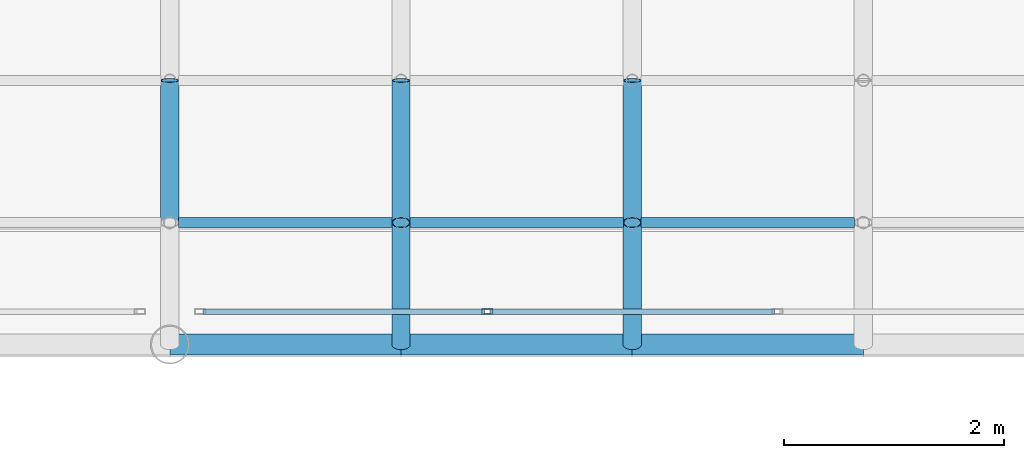
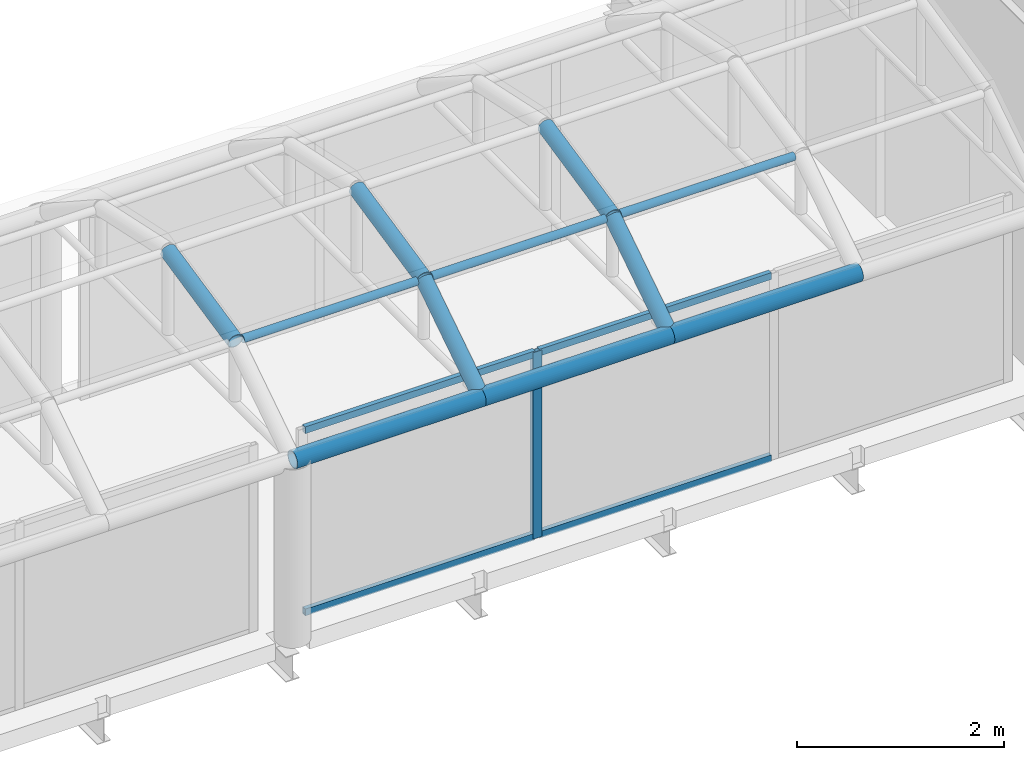
# One storey, part 100 of 167: 16 members, 1 element without a shape of its own.
"""IFC4 building model written with IfcOpenShell, lengths in metres."""

import ifcopenshell
import ifcopenshell.guid

model = None  # the IFC model being written
_history = None  # IfcOwnerHistory: only IFC2X3 demands one
_inside = {}  # id of a spatial element -> (the spatial element, [elements in it])
_under = {}  # id of a project, library or spatial element -> (it, [spatial elements below it])
_declared = {}  # id of a project -> (the project, [libraries it declares])
_typed = {}  # id of a type object -> (the type object, [elements of that type])
_made_of = {}  # id of a material, layer set ... -> (it, [elements and type objects made of it])


def new_model(schema):
    """Start an empty IFC model of exactly this schema.

    Asked for "IFC4X3", IfcOpenShell would pick the latest addendum, in which some entities
    have other attributes; the version numbers below select the first issue.
    IFC2X3 requires an IfcOwnerHistory on every rooted entity: one is made here for all.
    """
    global model, _history
    if schema == "IFC4X3":
        model = ifcopenshell.file(schema_version=(4, 3, 0, 0))
    else:
        model = ifcopenshell.file(schema=schema)
    _inside.clear()
    _under.clear()
    _declared.clear()
    _typed.clear()
    _made_of.clear()
    _history = None
    if model.schema == "IFC2X3":
        org = make("IfcOrganization", Name="unknown")
        user = make(
            "IfcPersonAndOrganization",
            ThePerson=make("IfcPerson", FamilyName="unknown"),
            TheOrganization=org,
        )
        app = make(
            "IfcApplication",
            ApplicationDeveloper=org,
            Version="unknown",
            ApplicationFullName="unknown",
            ApplicationIdentifier="unknown",
        )
        _history = make(
            "IfcOwnerHistory",
            OwningUser=user,
            OwningApplication=app,
            ChangeAction="ADDED",
            CreationDate=0,
        )
    return model


def make(cls, **values):
    """One entity of the class cls with the attributes given. An attribute that is None is left unset."""
    return model.create_entity(
        cls, **{name: value for name, value in values.items() if value is not None}
    )


def rooted(cls, **values):
    """An entity with a GlobalId (a new one), such as an element, a storey or a relation."""
    return make(cls, GlobalId=ifcopenshell.guid.new(), OwnerHistory=_history, **values)


def si_unit(unit_type, name, prefix=None):
    """IfcSIUnit, for example si_unit("LENGTHUNIT", "METRE", prefix="MILLI")."""
    return make("IfcSIUnit", UnitType=unit_type, Prefix=prefix, Name=name)


def assignment(units):
    """IfcUnitAssignment: the units of a project."""
    return None if units is None else make("IfcUnitAssignment", Units=units)


def point(xyz):
    """IfcCartesianPoint."""
    return None if xyz is None else make("IfcCartesianPoint", Coordinates=xyz)


def direction(xyz):
    """IfcDirection."""
    return None if xyz is None else make("IfcDirection", DirectionRatios=xyz)


def frame(location, z_axis=None, x_axis=None):
    """IfcAxis2Placement3D, a coordinate frame: its origin and axes. An axis left out is left unset."""
    return make(
        "IfcAxis2Placement3D",
        Location=point(location),
        Axis=direction(z_axis),
        RefDirection=direction(x_axis),
    )


def frame_2d(location, x_axis=None):
    """IfcAxis2Placement2D, a coordinate frame in the plane: its origin and x axis."""
    return make(
        "IfcAxis2Placement2D", Location=point(location), RefDirection=direction(x_axis)
    )


def origin():
    """The frame at (0, 0, 0) with its axes left unset."""
    return frame((0.0, 0.0, 0.0))


def origin_2d():
    """The frame at (0, 0) in the plane with its x axis left unset."""
    return frame_2d((0.0, 0.0))


def place(relative_to, where):
    """IfcLocalPlacement: puts the frame where relative to a parent placement (None: the world)."""
    return make(
        "IfcLocalPlacement", PlacementRelTo=relative_to, RelativePlacement=where
    )


def context(
    kind, dimensions, precision=None, world=None, true_north=None, identifier=None
):
    """IfcGeometricRepresentationContext, for example the 3D "Model" context."""
    return make(
        "IfcGeometricRepresentationContext",
        ContextIdentifier=identifier,
        ContextType=kind,
        CoordinateSpaceDimension=dimensions,
        Precision=precision,
        WorldCoordinateSystem=world,
        TrueNorth=true_north,
    )


def subcontext(parent, identifier, kind, view, scale=None):
    """IfcGeometricRepresentationSubContext, for example "Body" below "Model"."""
    return make(
        "IfcGeometricRepresentationSubContext",
        ContextIdentifier=identifier,
        ContextType=kind,
        ParentContext=parent,
        TargetScale=scale,
        TargetView=view,
    )


def project(units=None, contexts=None):
    """IfcProject with its units and contexts."""
    return rooted(
        "IfcProject",
        Name="project",
        RepresentationContexts=contexts,
        UnitsInContext=assignment(units),
    )


def spatial(cls, under=None, at=None, **own):
    """A site, building, storey or space (cls), placed at a placement, below another one or the project."""
    s = rooted(cls, ObjectPlacement=at, **own)
    if under is not None:
        _under.setdefault(under.id(), (under, []))[1].append(s)
    return s


def profile(cls, at=None, kind="AREA", **sizes):
    """A parametric profile (cls). Its sizes go by their IFC names, for example OverallWidth=200.0."""
    return make(cls, ProfileType=kind, Position=at, **sizes)


def hollow_rectangle(**sizes):
    """IfcRectangleHollowProfileDef."""
    return profile("IfcRectangleHollowProfileDef", **sizes)


def hollow_circle(**sizes):
    """IfcCircleHollowProfileDef."""
    return profile("IfcCircleHollowProfileDef", **sizes)


def extrude(swept, where, along, depth):
    """IfcExtrudedAreaSolid: the profile swept, set in the frame where, extruded along a direction by depth."""
    return make(
        "IfcExtrudedAreaSolid",
        SweptArea=swept,
        Position=where,
        ExtrudedDirection=direction(along),
        Depth=depth,
    )


def shape(context_of_items, identifier, shape_type, items):
    """IfcShapeRepresentation: the items that make up one representation, for example the "Body"."""
    return make(
        "IfcShapeRepresentation",
        ContextOfItems=context_of_items,
        RepresentationIdentifier=identifier,
        RepresentationType=shape_type,
        Items=items,
    )


def material(Name=None, Category=None):
    """IfcMaterial."""
    return make("IfcMaterial", Name=Name, Category=Category)


def material_profile(
    of_material, cross_section, Name=None, Category=None, Priority=None
):
    """IfcMaterialProfile: a cross section and its material."""
    return make(
        "IfcMaterialProfile",
        Name=Name,
        Material=of_material,
        Profile=cross_section,
        Priority=Priority,
        Category=Category,
    )


def profile_set(profiles, Name=None, composite=None):
    """IfcMaterialProfileSet."""
    return make(
        "IfcMaterialProfileSet",
        Name=Name,
        MaterialProfiles=profiles,
        CompositeProfile=composite,
    )


def made_of(thing, what):
    """Note that an element or type object is made of a material, layer set ...; save() writes the relation."""
    if what is not None:
        _made_of.setdefault(what.id(), (what, []))[1].append(thing)
    return thing


def type_object(cls, material=None, **own):
    """A type object (cls), such as IfcWallType, which elements share."""
    return made_of(rooted(cls, **own), material)


def element(
    cls,
    number,
    at=None,
    inside=None,
    cuts=None,
    type_object=None,
    material=None,
    context=None,
    identifier="Body",
    shape_type=None,
    held_by="IfcProductDefinitionShape",
    body=None,
    shapes=None,
    **own,
):
    """One element of the class cls, such as IfcWall. Its Tag is "e" and its number.

    at: its placement. inside: the storey or other place that contains it. cuts: it is an
    opening in that element (IfcRelVoidsElement). A single representation is given by context,
    identifier, shape_type and body (its items); several are given by shapes. held_by: the class
    of the entity that holds the representations. save() writes the other relations.
    """
    e = rooted(cls, Tag="e%d" % number, ObjectPlacement=at, **own)
    if body is not None:
        shapes = [shape(context, identifier, shape_type, body)]
    if shapes is not None:
        e.Representation = make(held_by, Representations=shapes)
    if inside is not None:
        _inside.setdefault(inside.id(), (inside, []))[1].append(e)
    if cuts is not None:
        rooted(
            "IfcRelVoidsElement", RelatingBuildingElement=cuts, RelatedOpeningElement=e
        )
    if type_object is not None:
        _typed.setdefault(type_object.id(), (type_object, []))[1].append(e)
    return made_of(e, material)


def aggregate(whole, parts):
    """IfcRelAggregates: a whole, such as a stair, and the parts it consists of."""
    return rooted("IfcRelAggregates", RelatingObject=whole, RelatedObjects=parts)


def save(model, path):
    """Write the relations noted so far, then the file.

    IfcRelAggregates (storeys below a building ...), IfcRelContainedInSpatialStructure (elements
    in a storey), IfcRelDefinesByType, IfcRelAssociatesMaterial and IfcRelDeclares: one each for
    every whole, place, type object, material and project.
    """
    for whole, parts in _under.values():
        aggregate(whole, parts)
    for where, things in _inside.values():
        rooted(
            "IfcRelContainedInSpatialStructure",
            RelatedElements=things,
            RelatingStructure=where,
        )
    for kind, things in _typed.values():
        rooted("IfcRelDefinesByType", RelatedObjects=things, RelatingType=kind)
    for what, things in _made_of.values():
        rooted("IfcRelAssociatesMaterial", RelatedObjects=things, RelatingMaterial=what)
    for by, libraries in _declared.values():
        rooted("IfcRelDeclares", RelatingContext=by, RelatedDefinitions=libraries)
    model.write(path)


model = new_model("IFC4")

# Units and contexts
model_context = context("Model", 3, precision=1e-05, world=origin(), true_north=direction((0.0, 1.0)))
body_context = subcontext(model_context, "Body", "Model", "MODEL_VIEW")
ifc_project = project(units=[si_unit("LENGTHUNIT", "METRE"), si_unit("AREAUNIT", "SQUARE_METRE"), si_unit("VOLUMEUNIT", "CUBIC_METRE"), si_unit("PLANEANGLEUNIT", "RADIAN"), si_unit("MASSUNIT", "GRAM", prefix="KILO")], contexts=[model_context])

# Site, building, storey
site_placement = place(None, origin())
site = spatial("IfcSite", under=ifc_project, at=site_placement, CompositionType="ELEMENT")
building_placement = place(site_placement, origin())
building = spatial("IfcBuilding", under=site, at=building_placement, Name="Catenary Quay Ferry Terminal", CompositionType="ELEMENT")
storey_placement = place(building_placement, frame((0.0, 0.0, 6.0)))
storey = spatial("IfcBuildingStorey", under=building, at=storey_placement, Name="L01", CompositionType="ELEMENT", Elevation=6.0)

# Curtain wall, member
ifc_material_1 = material(Name="Aluminium and glass", Category="aluminium")
curtain_wall_type = type_object("IfcCurtainWallType", Name="CWB", PredefinedType="NOTDEFINED", material=ifc_material_1)
curtain_wall_placement = place(storey_placement, origin())
curtain_wall = element("IfcCurtainWall", 1, at=curtain_wall_placement, inside=storey, type_object=curtain_wall_type, Name="BB2 curtain wall CW67", PredefinedType="NOTDEFINED")
ifc_material_2 = material(Name="Aluminium", Category="aluminium")
ifc_material_profile_1 = material_profile(ifc_material_2, hollow_rectangle(XDim=0.050048828125, YDim=0.10009765625, WallThickness=0.0048828125, at=origin_2d()), Name="MU1")
ifc_profile_set_1 = profile_set([ifc_material_profile_1], Name="Aluminium")
member_type_1 = type_object("IfcMemberType", Name="MU1", PredefinedType="MULLION", material=ifc_profile_set_1)
member_1_placement = place(storey_placement, frame((120.4833984375, 90.300048828125, 0.0), z_axis=(0.0, 0.0, 1.0), x_axis=(0.0, 1.0, 0.0)))
member_1 = element("IfcMember", 2, at=member_1_placement, type_object=member_type_1, Name="CW67 mullion 2", PredefinedType="MULLION", context=body_context, shape_type="SweptSolid", body=[
    extrude(hollow_rectangle(XDim=0.050048828125, YDim=0.10009765625, WallThickness=0.0048828125, at=origin_2d()), origin(), (0.0, 0.0, 1.0), 2.195068359375),
])

# Members
ifc_material_3 = material(Name="Steel S355", Category="steel")
ifc_material_profile_2 = material_profile(ifc_material_3, hollow_circle(Radius=0.04443359375, WallThickness=0.0048828125, at=origin_2d()), Name="CHS 88.9x5")
ifc_profile_set_2 = profile_set([ifc_material_profile_2], Name="Steel S355")
member_type_2 = type_object("IfcMemberType", Name="PU3 CHS 88.9x5", PredefinedType="PURLIN", material=ifc_profile_set_2)
member_2_placement = place(storey_placement, frame((117.679931640625, 91.10791015625, 2.821044921875), z_axis=(1.0, 0.0, 0.0), x_axis=(0.0, 1.0, 0.0)))
element("IfcMember", 3, at=member_2_placement, inside=storey, type_object=member_type_2, Name="Purlin PU-RB2-13-01", PredefinedType="PURLIN", context=body_context, shape_type="SweptSolid", body=[
    extrude(hollow_circle(Radius=0.04443359375, WallThickness=0.0048828125, at=origin_2d()), origin(), (0.0, 0.0, 1.0), 1.940185546875),
])
member_3_placement = place(storey_placement, frame((119.780029296875, 91.10791015625, 2.821044921875), z_axis=(1.0, 0.0, 0.0), x_axis=(0.0, 1.0, 0.0)))
element("IfcMember", 4, at=member_3_placement, inside=storey, type_object=member_type_2, Name="Purlin PU-RB2-14-01", PredefinedType="PURLIN", context=body_context, shape_type="SweptSolid", body=[
    extrude(hollow_circle(Radius=0.04443359375, WallThickness=0.0048828125, at=origin_2d()), origin(), (0.0, 0.0, 1.0), 1.93994140625),
])
member_4_placement = place(storey_placement, frame((121.8798828125, 91.10791015625, 2.821044921875), z_axis=(1.0, 0.0, 0.0), x_axis=(0.0, 1.0, 0.0)))
element("IfcMember", 5, at=member_4_placement, inside=storey, type_object=member_type_2, Name="Purlin PU-RB2-15-01", PredefinedType="PURLIN", context=body_context, shape_type="SweptSolid", body=[
    extrude(hollow_circle(Radius=0.04443359375, WallThickness=0.0048828125, at=origin_2d()), origin(), (0.0, 0.0, 1.0), 1.940185546875),
])
ifc_material_4 = material(Name="Steel S355", Category="steel")
ifc_material_profile_3 = material_profile(ifc_material_4, hollow_circle(Radius=0.096923828125, WallThickness=0.010009765625, at=origin_2d()), Name="CHS 193.7x10")
ifc_profile_set_3 = profile_set([ifc_material_profile_3], Name="Steel S355")
member_type_3 = type_object("IfcMemberType", Name="TC2 CHS 193.7x10", PredefinedType="CHORD", material=ifc_profile_set_3)
member_5_placement = place(storey_placement, frame((117.60009765625, 90.0, 2.10009765625), z_axis=(1.0, 0.0, 0.0), x_axis=(0.0, 1.0, 0.0)))
element("IfcMember", 6, at=member_5_placement, inside=storey, type_object=member_type_3, Name="Bridge top chord BB2S-TC13", PredefinedType="CHORD", context=body_context, shape_type="SweptSolid", body=[
    extrude(hollow_circle(Radius=0.096923828125, WallThickness=0.010009765625, at=origin_2d()), origin(), (0.0, 0.0, 1.0), 2.099853515625),
])
member_6_placement = place(storey_placement, frame((119.699951171875, 90.0, 2.10009765625), z_axis=(1.0, 0.0, 0.0), x_axis=(0.0, 1.0, 0.0)))
element("IfcMember", 7, at=member_6_placement, inside=storey, type_object=member_type_3, Name="Bridge top chord BB2S-TC14", PredefinedType="CHORD", context=body_context, shape_type="SweptSolid", body=[
    extrude(hollow_circle(Radius=0.096923828125, WallThickness=0.010009765625, at=origin_2d()), origin(), (0.0, 0.0, 1.0), 2.10009765625),
])
member_7_placement = place(storey_placement, frame((121.800048828125, 90.0, 2.10009765625), z_axis=(1.0, 0.0, 0.0), x_axis=(0.0, 1.0, 0.0)))
element("IfcMember", 8, at=member_7_placement, inside=storey, type_object=member_type_3, Name="Bridge top chord BB2S-TC15", PredefinedType="CHORD", context=body_context, shape_type="SweptSolid", body=[
    extrude(hollow_circle(Radius=0.096923828125, WallThickness=0.010009765625, at=origin_2d()), origin(), (0.0, 0.0, 1.0), 2.099853515625),
])

# Member
ifc_material_5 = material(Name="Aluminium", Category="aluminium")
ifc_material_profile_4 = material_profile(ifc_material_5, hollow_rectangle(XDim=0.050048828125, YDim=0.080078125, WallThickness=0.00390625, at=origin_2d()), Name="TR1")
ifc_profile_set_4 = profile_set([ifc_material_profile_4], Name="Aluminium")
member_type_4 = type_object("IfcMemberType", Name="TR1", PredefinedType="USERDEFINED", material=ifc_profile_set_4)
member_8_placement = place(storey_placement, frame((117.89990234375, 90.300048828125, 0.02490234375), z_axis=(1.0, 0.0, 0.0), x_axis=(0.0, 1.0, 0.0)))
member_8 = element("IfcMember", 9, at=member_8_placement, type_object=member_type_4, Name="CW67 transom 1.1", ObjectType="TRANSOM", PredefinedType="USERDEFINED", context=body_context, shape_type="SweptSolid", body=[
    extrude(hollow_rectangle(XDim=0.050048828125, YDim=0.080078125, WallThickness=0.00390625, at=origin_2d()), origin(), (0.0, 0.0, 1.0), 2.558349609375),
])

member_9_placement = place(storey_placement, frame((117.89990234375, 90.300048828125, 2.169921875), z_axis=(1.0, 0.0, 0.0), x_axis=(0.0, 1.0, 0.0)))
member_9 = element("IfcMember", 10, at=member_9_placement, type_object=member_type_4, Name="CW67 transom 1.2", ObjectType="TRANSOM", PredefinedType="USERDEFINED", context=body_context, shape_type="SweptSolid", body=[
    extrude(hollow_rectangle(XDim=0.050048828125, YDim=0.080078125, WallThickness=0.00390625, at=origin_2d()), origin(), (0.0, 0.0, 1.0), 2.558349609375),
])

member_10_placement = place(storey_placement, frame((120.50830078125, 90.300048828125, 0.02490234375), z_axis=(1.0, 0.0, 0.0), x_axis=(0.0, 1.0, 0.0)))
member_10 = element("IfcMember", 11, at=member_10_placement, type_object=member_type_4, Name="CW67 transom 2.1", ObjectType="TRANSOM", PredefinedType="USERDEFINED", context=body_context, shape_type="SweptSolid", body=[
    extrude(hollow_rectangle(XDim=0.050048828125, YDim=0.080078125, WallThickness=0.00390625, at=origin_2d()), origin(), (0.0, 0.0, 1.0), 2.583251953125),
])

member_11_placement = place(storey_placement, frame((120.50830078125, 90.300048828125, 2.169921875), z_axis=(1.0, 0.0, 0.0), x_axis=(0.0, 1.0, 0.0)))
member_11 = element("IfcMember", 12, at=member_11_placement, type_object=member_type_4, Name="CW67 transom 2.2", ObjectType="TRANSOM", PredefinedType="USERDEFINED", context=body_context, shape_type="SweptSolid", body=[
    extrude(hollow_rectangle(XDim=0.050048828125, YDim=0.080078125, WallThickness=0.00390625, at=origin_2d()), origin(), (0.0, 0.0, 1.0), 2.583251953125),
])

aggregate(curtain_wall, [member_1, member_8, member_9, member_10, member_11])

# Members
ifc_material_6 = material(Name="Steel S355", Category="steel")
ifc_material_profile_5 = material_profile(ifc_material_6, hollow_circle(Radius=0.084228515625, WallThickness=0.008056640625, at=origin_2d()), Name="CHS 168.3x8")
ifc_profile_set_5 = profile_set([ifc_material_profile_5], Name="Steel S355")
member_type_5 = type_object("IfcMemberType", Name="VR4 CHS 168.3x8", PredefinedType="RAFTER", material=ifc_profile_set_5)
for number, where, z_axis, x_axis, name in (
    (13, (117.60009765625, 91.10791015625, 2.821044921875), (0.0, 0.977460543774, 0.211118178672), (-1.0, 0.0, 0.0), "rib RB2-13-02"),
    (14, (119.699951171875, 90.0, 2.10009765625), (0.0, 0.838164997293, 0.545416755621), (-1.0, 0.0, 0.0), "rib RB2-14-01"),
    (15, (119.699951171875, 91.10791015625, 2.821044921875), (0.0, 0.977460543774, 0.211118178672), (-1.0, 0.0, 0.0), "rib RB2-14-02"),
    (16, (121.800048828125, 90.0, 2.10009765625), (0.0, 0.838164997293, 0.545416755621), (-1.0, 0.0, 0.0), "rib RB2-15-01"),
    (17, (121.800048828125, 91.10791015625, 2.821044921875), (0.0, 0.977460543774, 0.211118178672), (-1.0, 0.0, 0.0), "rib RB2-15-02"),
):
    element("IfcMember", number, at=place(storey_placement, frame(where, z_axis=z_axis, x_axis=x_axis)), inside=storey, type_object=member_type_5, Name=name, PredefinedType="RAFTER", context=body_context, shape_type="SweptSolid", body=[
        extrude(hollow_circle(Radius=0.084228515625, WallThickness=0.008056640625, at=origin_2d()), origin(), (0.0, 0.0, 1.0), 1.32177734375),
    ])

save(model, "model.ifc")
